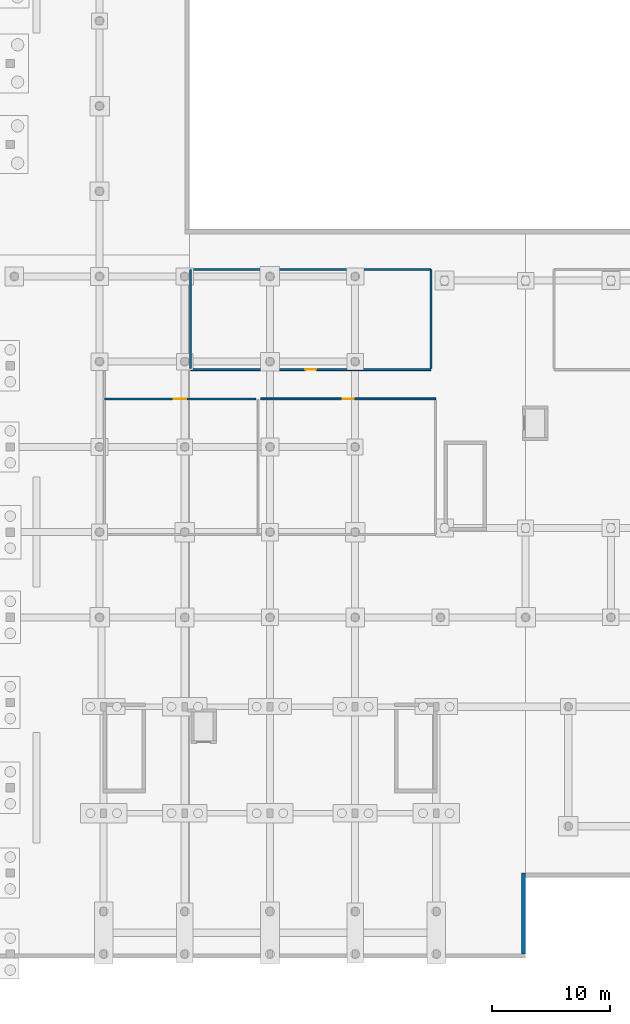
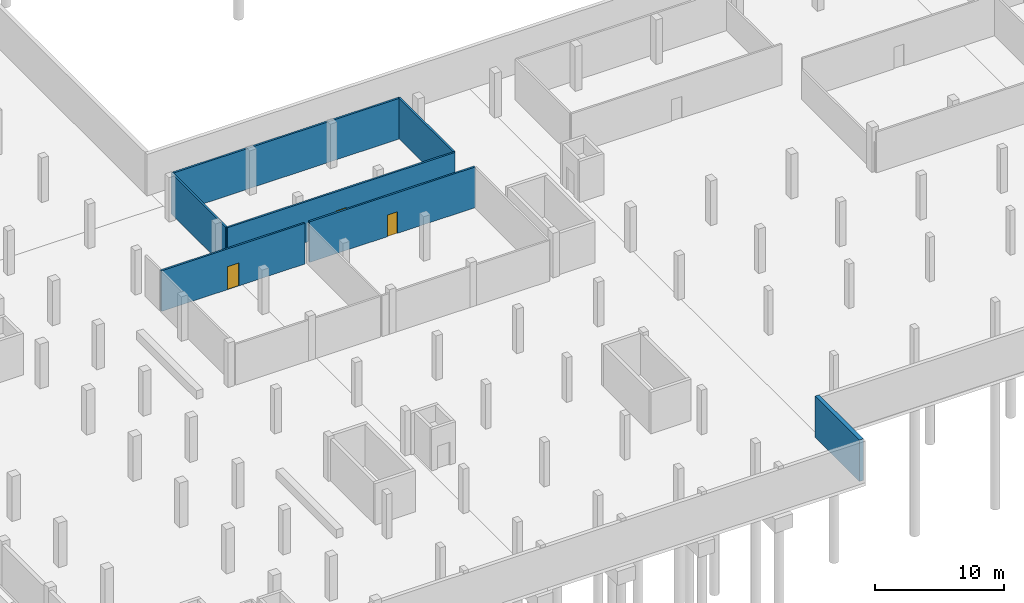
# One storey, part 19 of 36: 7 walls, 3 doors, 3 openings.
"""IFC4 building model written with IfcOpenShell, lengths in metres."""

from ifc_helpers import new_model, si_unit, derived_unit, direction, frame, frame_2d, origin, place, context, subcontext, project, spatial, rectangle, extrude, material, layer, layer_set, type_object, element, fill, save


model = new_model("IFC4")

# Units and contexts
model_context = context("Model", 3, precision=1e-05, world=origin(), true_north=direction((0.0, 1.0)))
body_context = subcontext(model_context, "Body", "Model", "MODEL_VIEW")
ifc_project = project(units=[si_unit("LENGTHUNIT", "METRE"), si_unit("AREAUNIT", "SQUARE_METRE"), si_unit("VOLUMEUNIT", "CUBIC_METRE"), si_unit("PLANEANGLEUNIT", "RADIAN"), si_unit("MASSUNIT", "GRAM", prefix="KILO"), derived_unit("THERMALTRANSMITTANCEUNIT", [(si_unit("MASSUNIT", "GRAM", prefix="KILO"), 1), (si_unit("TIMEUNIT", "SECOND"), -3), (si_unit("THERMODYNAMICTEMPERATUREUNIT", "KELVIN"), -1)])], contexts=[model_context])

# Site, building, storey
site_placement = place(None, origin())
site = spatial("IfcSite", under=ifc_project, at=site_placement, CompositionType="ELEMENT")
building_placement = place(site_placement, origin())
building = spatial("IfcBuilding", under=site, at=building_placement, Name="Ochrekiln Boulevard Commons", CompositionType="ELEMENT")
storey_placement = place(building_placement, frame((0.0, 0.0, -4.199951171875)))
storey = spatial("IfcBuildingStorey", under=building, at=storey_placement, Name="B1", CompositionType="ELEMENT", Elevation=-4.199951171875)

# Walls
ifc_material_1 = material(Name="Concrete C35/45", Category="concrete")
ifc_layer_1 = layer(ifc_material_1, 0.35009765625)
ifc_layer_set_1 = layer_set([ifc_layer_1], Name="Concrete C35/45")
wall_type_1 = type_object("IfcWallType", Name="WL-B1-RET-350", PredefinedType="SOLIDWALL", material=ifc_layer_set_1)
wall_1_placement = place(storey_placement, frame((64.625, 0.35009765625, 0.0), z_axis=(0.0, 0.0, 1.0), x_axis=(0.0, 1.0, 0.0)))
element("IfcWall", 1, at=wall_1_placement, inside=storey, type_object=wall_type_1, Name="B1 Perimeter Retaining Wall B1-NW-SIDE", PredefinedType="SOLIDWALL", context=body_context, shape_type="SweptSolid", body=[
    extrude(rectangle(XDim=6.849853515625, YDim=0.35009765625, at=frame_2d((3.4248046875, 0.0))), origin(), (0.0, 0.0, 1.0), 3.919921875),
])
ifc_material_2 = material(Name="Fire-rated Type X gypsum board on steel studs", Category="steel")
ifc_layer_2 = layer(ifc_material_2, 0.169921875)
ifc_layer_set_2 = layer_set([ifc_layer_2], Name="Fire-rated Type X gypsum board on steel studs")
wall_type_2 = type_object("IfcWallType", Name="WL-PT-CIV-170", PredefinedType="PARTITIONING", material=ifc_layer_set_2)
wall_2_placement = place(storey_placement, frame((36.5, 58.199951171875, 0.0), z_axis=(0.0, 0.0, 1.0), x_axis=(1.0, 0.0, 0.0)))
element("IfcWall", 2, at=wall_2_placement, inside=storey, type_object=wall_type_2, Name="B1 Interior Wall W-PV170", PredefinedType="PARTITIONING", context=body_context, shape_type="SweptSolid", body=[
    extrude(rectangle(XDim=20.300048828125, YDim=0.169921875, at=frame_2d((10.14990234375, 0.0))), origin(), (0.0, 0.0, 1.0), 3.83984375),
])
for number, where, z_axis, x_axis, name in (
    (3, (36.5, 49.80810546875, 0.0), (0.0, 0.0, 1.0), (0.0, 1.0, 0.0), "B1 Interior Wall W-PV170"),
    (4, (56.800048828125, 49.80810546875, 0.0), (0.0, 0.0, 1.0), (0.0, 1.0, 0.0), "B1 Interior Wall W-PV170"),
):
    element("IfcWall", number, at=place(storey_placement, frame(where, z_axis=z_axis, x_axis=x_axis)), inside=storey, type_object=wall_type_2, Name=name, PredefinedType="PARTITIONING", context=body_context, shape_type="SweptSolid", body=[
        extrude(rectangle(XDim=8.391845703125, YDim=0.169921875, at=frame_2d((4.19580078125, 0.0))), origin(), (0.0, 0.0, 1.0), 3.83984375),
    ])

# Wall, opening, door
ifc_layer_3 = layer(ifc_material_2, 0.1650390625)
ifc_layer_set_3 = layer_set([ifc_layer_3], Name="Fire-rated Type X gypsum board on steel studs")
wall_type_3 = type_object("IfcWallType", Name="WL-PT-CORR-165", PredefinedType="PARTITIONING", material=ifc_layer_set_3)
wall_3_placement = place(storey_placement, frame((29.199951171875, 47.25, 0.0), z_axis=(0.0, 0.0, 1.0), x_axis=(1.0, 0.0, 0.0)))
wall_3 = element("IfcWall", 5, at=wall_3_placement, inside=storey, type_object=wall_type_3, Name="B1 Interior Wall W-PC165", PredefinedType="PARTITIONING", context=body_context, shape_type="SweptSolid", body=[
    extrude(rectangle(XDim=12.800048828125, YDim=0.1650390625, at=frame_2d((6.39990234375, 0.0))), origin(), (0.0, 0.0, 1.0), 3.83984375),
])
opening_1_placement = place(wall_3_placement, frame((5.889892578125, 0.0, 0.0)))
opening_1 = element("IfcOpeningElement", 6, at=opening_1_placement, cuts=wall_3, Name="Opening D-B1-1377", PredefinedType="OPENING", context=body_context, shape_type="SweptSolid", body=[
    extrude(rectangle(XDim=1.02001953125, YDim=2.159912109375, at=frame_2d((0.510009765625, 1.080078125))), frame((0.0, 0.092529296875, 0.0), z_axis=(0.0, -1.0, 0.0), x_axis=(1.0, 0.0, 0.0)), (0.0, 0.0, 1.0), 0.18505859375),
])
ifc_material_3 = material(Name="Solid core architectural oak door leaf")
door_type_1 = type_object("IfcDoorType", Name="DR-INT-CIV-102", OperationType="NOTDEFINED", PredefinedType="DOOR", material=ifc_material_3)
door_1_placement = place(opening_1_placement, frame((1.02001953125, 0.0, 0.0), z_axis=(0.0, 0.0, 1.0), x_axis=(-1.0, 0.0, 0.0)))
door_1 = element("IfcDoor", 7, at=door_1_placement, inside=storey, type_object=door_type_1, Name="B1 Interior Door to Resident Bicycle Storage Room", OperationType="SINGLE_SWING_LEFT", OverallHeight=2.159912109375, OverallWidth=1.02001953125, PredefinedType="DOOR", context=body_context, shape_type="SweptSolid", body=[
    extrude(rectangle(XDim=1.02001953125, YDim=2.159912109375, at=frame_2d((0.510009765625, 1.080078125))), frame((0.0, 0.02490234375, 0.0), z_axis=(0.0, -1.0, 0.0), x_axis=(1.0, 0.0, 0.0)), (0.0, 0.0, 1.0), 0.050048828125),
])
fill(opening_1, door_1)

wall_4_placement = place(storey_placement, frame((42.39990234375, 47.25, 0.0), z_axis=(0.0, 0.0, 1.0), x_axis=(1.0, 0.0, 0.0)))
wall_4 = element("IfcWall", 8, at=wall_4_placement, inside=storey, type_object=wall_type_3, Name="B1 Interior Wall W-PC165", PredefinedType="PARTITIONING", context=body_context, shape_type="SweptSolid", body=[
    extrude(rectangle(XDim=14.800048828125, YDim=0.1650390625, at=frame_2d((7.39990234375, 0.0))), origin(), (0.0, 0.0, 1.0), 3.83984375),
])
opening_2_placement = place(wall_4_placement, frame((6.93994140625, 0.0, 0.0)))
opening_2 = element("IfcOpeningElement", 9, at=opening_2_placement, cuts=wall_4, Name="Opening D-B1-1378", PredefinedType="OPENING", context=body_context, shape_type="SweptSolid", body=[
    extrude(rectangle(XDim=0.919921875, YDim=2.0400390625, at=frame_2d((0.4599609375, 1.02001953125))), frame((0.0, 0.092529296875, 0.0), z_axis=(0.0, -1.0, 0.0), x_axis=(1.0, 0.0, 0.0)), (0.0, 0.0, 1.0), 0.18505859375),
])
ifc_material_4 = material(Name="Hollow metal fire-rated steel door assembly", Category="steel")
door_type_2 = type_object("IfcDoorType", Name="DR-SRV-90", OperationType="NOTDEFINED", PredefinedType="DOOR", material=ifc_material_4)
door_2_placement = place(opening_2_placement, frame((0.919921875, 0.0, 0.0), z_axis=(0.0, 0.0, 1.0), x_axis=(-1.0, 0.0, 0.0)))
door_2 = element("IfcDoor", 10, at=door_2_placement, inside=storey, type_object=door_type_2, Name="B1 Interior Door to Central Heat Pump Mechanical Plant Room", OperationType="SINGLE_SWING_RIGHT", OverallHeight=2.0400390625, OverallWidth=0.919921875, PredefinedType="DOOR", context=body_context, shape_type="SweptSolid", body=[
    extrude(rectangle(XDim=0.919921875, YDim=2.0400390625, at=frame_2d((0.4599609375, 1.02001953125))), frame((0.0, 0.02490234375, 0.0), z_axis=(0.0, -1.0, 0.0), x_axis=(1.0, 0.0, 0.0)), (0.0, 0.0, 1.0), 0.050048828125),
])
fill(opening_2, door_2)

wall_5_placement = place(storey_placement, frame((36.5, 49.72509765625, 0.0), z_axis=(0.0, 0.0, 1.0), x_axis=(1.0, 0.0, 0.0)))
wall_5 = element("IfcWall", 11, at=wall_5_placement, inside=storey, type_object=wall_type_3, Name="B1 Interior Wall W-PC165", PredefinedType="PARTITIONING", context=body_context, shape_type="SweptSolid", body=[
    extrude(rectangle(XDim=20.300048828125, YDim=0.1650390625, at=frame_2d((10.14990234375, 0.0))), origin(), (0.0, 0.0, 1.0), 3.83984375),
])
opening_3_placement = place(wall_5_placement, frame((9.68994140625, 0.0, 0.0)))
opening_3 = element("IfcOpeningElement", 12, at=opening_3_placement, cuts=wall_5, Name="Opening D-B1-1380", PredefinedType="OPENING", context=body_context, shape_type="SweptSolid", body=[
    extrude(rectangle(XDim=0.919921875, YDim=2.0400390625, at=frame_2d((0.4599609375, 1.02001953125))), frame((0.0, 0.092529296875, 0.0), z_axis=(0.0, -1.0, 0.0), x_axis=(1.0, 0.0, 0.0)), (0.0, 0.0, 1.0), 0.18505859375),
])
door_3_placement = place(opening_3_placement, origin())
door_3 = element("IfcDoor", 13, at=door_3_placement, inside=storey, type_object=door_type_2, Name="B1 Interior Door to Grocery Co-op Cold and Dry Stockroom", OperationType="SINGLE_SWING_RIGHT", OverallHeight=2.0400390625, OverallWidth=0.919921875, PredefinedType="DOOR", context=body_context, shape_type="SweptSolid", body=[
    extrude(rectangle(XDim=0.919921875, YDim=2.0400390625, at=frame_2d((0.4599609375, 1.02001953125))), frame((0.0, 0.02490234375, 0.0), z_axis=(0.0, -1.0, 0.0), x_axis=(1.0, 0.0, 0.0)), (0.0, 0.0, 1.0), 0.050048828125),
])
fill(opening_3, door_3)

save(model, "model.ifc")
